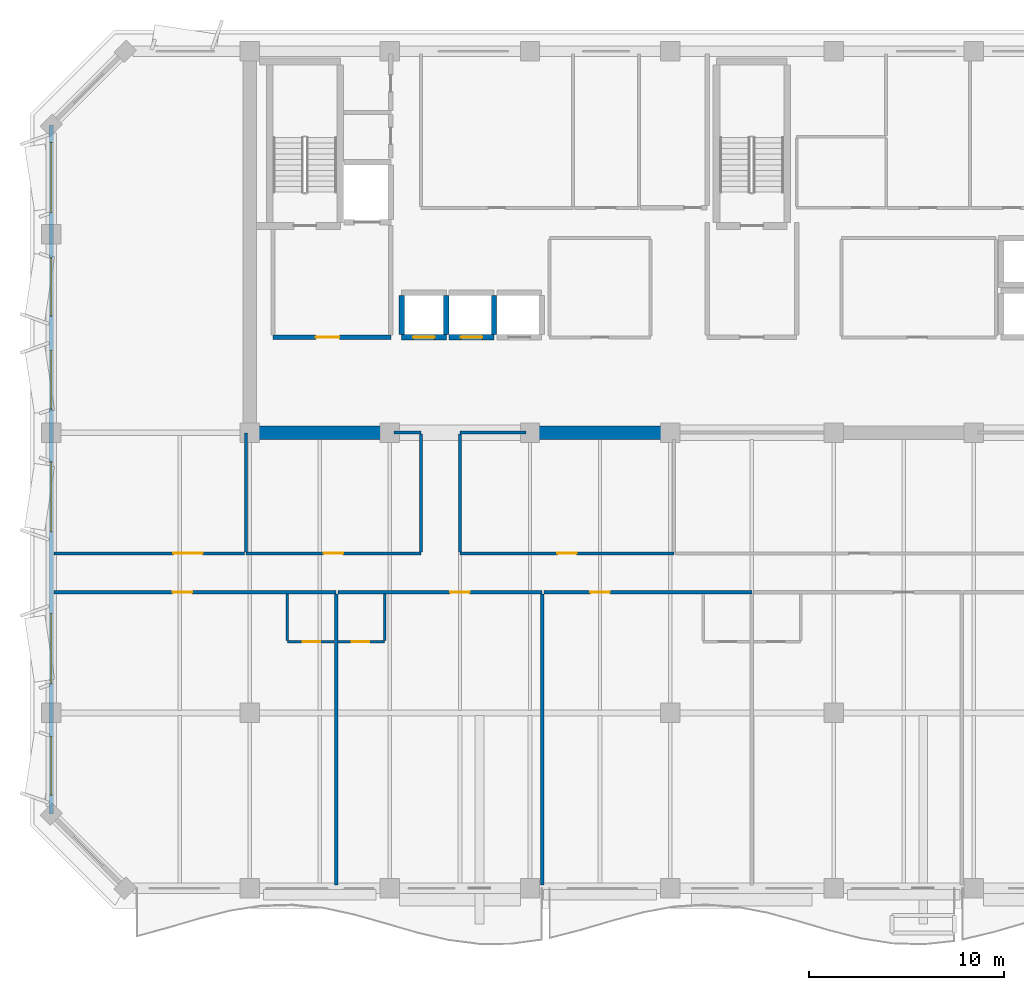
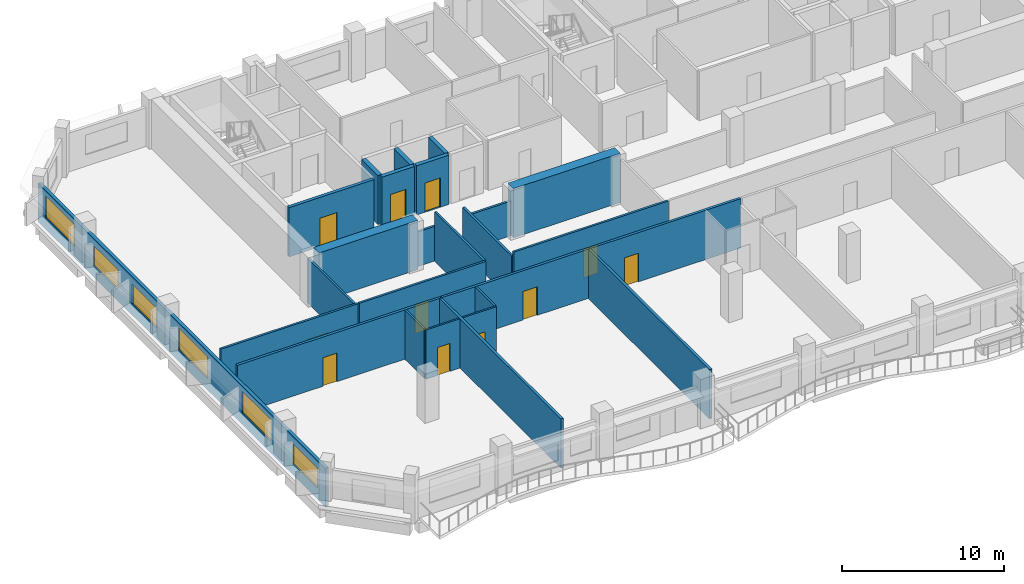
# One storey, part 3 of 10: 26 walls, 11 doors, 6 windows, 17 openings.
"""IFC4 building model written with IfcOpenShell, lengths in metres."""

from ifc_helpers import new_model, si_unit, direction, frame, frame_2d, origin, place, context, subcontext, project, spatial, rectangle, extrude, material, layer, layer_set, type_object, element, fill, save


model = new_model("IFC4")

# Units and contexts
model_context = context("Model", 3, precision=1e-05, world=origin(), true_north=direction((0.0, 1.0)))
body_context = subcontext(model_context, "Body", "Model", "MODEL_VIEW")
ifc_project = project(units=[si_unit("LENGTHUNIT", "METRE"), si_unit("AREAUNIT", "SQUARE_METRE"), si_unit("VOLUMEUNIT", "CUBIC_METRE"), si_unit("PLANEANGLEUNIT", "RADIAN"), si_unit("MASSUNIT", "GRAM", prefix="KILO")], contexts=[model_context])

# Site, building, storey
site_placement = place(None, origin())
site = spatial("IfcSite", under=ifc_project, at=site_placement, CompositionType="ELEMENT")
building_placement = place(site_placement, origin())
building = spatial("IfcBuilding", under=site, at=building_placement, Name="Kaelvorn Grand Hotel", CompositionType="ELEMENT")
storey_placement = place(building_placement, frame((0.0, 0.0, 264.699951171875)))
storey = spatial("IfcBuildingStorey", under=building, at=storey_placement, Name="L65", CompositionType="ELEMENT", Elevation=264.699951171875)

# Walls
ifc_material_1 = material(Name="Concrete C50/60", Category="concrete")
ifc_layer_1 = layer(ifc_material_1, 0.699951171875)
ifc_layer_set_1 = layer_set([ifc_layer_1], Name="Concrete C50/60")
wall_type_1 = type_object("IfcWallType", Name="WL-CORE-700-C50", PredefinedType="SHEAR", material=ifc_layer_set_1)
wall_1_placement = place(storey_placement, frame((16.554931640625, 29.39990234375, 0.0), z_axis=(0.0, 0.0, 1.0), x_axis=(1.0, 0.0, 0.0)))
element("IfcWall", 1, at=wall_1_placement, inside=storey, type_object=wall_type_1, Name="L65 Rear-Core Coupled Shear Pier S1", PredefinedType="SHEAR", context=body_context, shape_type="SweptSolid", body=[
    extrude(rectangle(XDim=7.045166015625, YDim=0.699951171875, at=frame_2d((3.5224609375, 0.0))), origin(), (0.0, 0.0, 1.0), 3.7099609375),
])
wall_2_placement = place(storey_placement, frame((30.39990234375, 29.39990234375, 0.0), z_axis=(0.0, 0.0, 1.0), x_axis=(1.0, 0.0, 0.0)))
element("IfcWall", 2, at=wall_2_placement, inside=storey, type_object=wall_type_1, Name="L65 Rear-Core Coupled Shear Pier S2", PredefinedType="SHEAR", context=body_context, shape_type="SweptSolid", body=[
    extrude(rectangle(XDim=7.60009765625, YDim=0.699951171875, at=frame_2d((3.800048828125, 0.0))), origin(), (0.0, 0.0, 1.0), 3.7099609375),
])

# Wall, openings, windows
ifc_material_2 = material(Name="Concrete C40/50", Category="concrete")
ifc_layer_2 = layer(ifc_material_2, 0.219970703125)
ifc_layer_set_2 = layer_set([ifc_layer_2], Name="Concrete C40/50")
wall_type_2 = type_object("IfcWallType", Name="WL-EXT-220-C40", PredefinedType="SOLIDWALL", material=ifc_layer_set_2)
wall_3_placement = place(storey_placement, frame((6.0, 45.199951171875, 0.0), z_axis=(0.0, 0.0, 1.0), x_axis=(0.0, -1.0, 0.0)))
wall_3 = element("IfcWall", 3, at=wall_3_placement, inside=storey, type_object=wall_type_2, Name="L65 Exterior Architectural Concrete Wall 07", PredefinedType="SOLIDWALL", context=body_context, shape_type="SweptSolid", body=[
    extrude(rectangle(XDim=35.39990234375, YDim=0.219970703125, at=frame_2d((17.699951171875, 0.0))), origin(), (0.0, 0.0, 1.0), 2.91015625),
])
opening_1_placement = place(wall_3_placement, frame((31.4150390625, 0.0, 0.85009765625)))
opening_1 = element("IfcOpeningElement", 4, at=opening_1_placement, cuts=wall_3, Name="Opening W5", PredefinedType="OPENING", context=body_context, shape_type="SweptSolid", body=[
    extrude(rectangle(XDim=3.0, YDim=1.5, at=frame_2d((1.5, 0.75))), frame((0.0, 0.1201171875, 0.0), z_axis=(0.0, -1.0, 0.0), x_axis=(1.0, 0.0, 0.0)), (0.0, 0.0, 1.0), 0.239990234375),
])
opening_2_placement = place(wall_3_placement, frame((25.10009765625, 0.0, 0.85009765625)))
opening_2 = element("IfcOpeningElement", 5, at=opening_2_placement, cuts=wall_3, Name="Opening W3", PredefinedType="OPENING", context=body_context, shape_type="SweptSolid", body=[
    extrude(rectangle(XDim=3.60009765625, YDim=1.64990234375, at=frame_2d((1.800048828125, 0.824951171875))), frame((0.0, 0.1201171875, 0.0), z_axis=(0.0, -1.0, 0.0), x_axis=(1.0, 0.0, 0.0)), (0.0, 0.0, 1.0), 0.239990234375),
])
opening_3_placement = place(wall_3_placement, frame((17.300048828125, 0.0, 0.85009765625)))
opening_3 = element("IfcOpeningElement", 6, at=opening_3_placement, cuts=wall_3, Name="Opening W3", PredefinedType="OPENING", context=body_context, shape_type="SweptSolid", body=[
    extrude(rectangle(XDim=3.60009765625, YDim=1.64990234375, at=frame_2d((1.800048828125, 0.824951171875))), frame((0.0, 0.1201171875, 0.0), z_axis=(0.0, -1.0, 0.0), x_axis=(1.0, 0.0, 0.0)), (0.0, 0.0, 1.0), 0.239990234375),
])
opening_4_placement = place(wall_3_placement, frame((11.5849609375, 0.0, 0.85009765625)))
opening_4 = element("IfcOpeningElement", 7, at=opening_4_placement, cuts=wall_3, Name="Opening W5", PredefinedType="OPENING", context=body_context, shape_type="SweptSolid", body=[
    extrude(rectangle(XDim=3.0, YDim=1.5, at=frame_2d((1.5, 0.75))), frame((0.0, 0.1201171875, 0.0), z_axis=(0.0, -1.0, 0.0), x_axis=(1.0, 0.0, 0.0)), (0.0, 0.0, 1.0), 0.239990234375),
])
opening_5_placement = place(wall_3_placement, frame((6.81494140625, 0.0, 0.85009765625)))
opening_5 = element("IfcOpeningElement", 8, at=opening_5_placement, cuts=wall_3, Name="Opening W5", PredefinedType="OPENING", context=body_context, shape_type="SweptSolid", body=[
    extrude(rectangle(XDim=3.0, YDim=1.5, at=frame_2d((1.5, 0.75))), frame((0.0, 0.1201171875, 0.0), z_axis=(0.0, -1.0, 0.0), x_axis=(1.0, 0.0, 0.0)), (0.0, 0.0, 1.0), 0.239990234375),
])
opening_6_placement = place(wall_3_placement, frame((0.885009765625, 0.0, 0.85009765625)))
opening_6 = element("IfcOpeningElement", 9, at=opening_6_placement, cuts=wall_3, Name="Opening W3", PredefinedType="OPENING", context=body_context, shape_type="SweptSolid", body=[
    extrude(rectangle(XDim=3.60009765625, YDim=1.64990234375, at=frame_2d((1.800048828125, 0.824951171875))), frame((0.0, 0.1201171875, 0.0), z_axis=(0.0, -1.0, 0.0), x_axis=(1.0, 0.0, 0.0)), (0.0, 0.0, 1.0), 0.239990234375),
])
ifc_material_3 = material(Name="Laminated Low-E Glass", Category="glass")
window_type_1 = type_object("IfcWindowType", Name="WIN-NTH-3000x1500", PartitioningType="SINGLE_PANEL", PredefinedType="WINDOW", material=ifc_material_3)
window_1_placement = place(opening_1_placement, origin())
window_1 = element("IfcWindow", 10, at=window_1_placement, inside=storey, type_object=window_type_1, Name="L65 W Wing Tilted-Frame Ribbon Window W01", OverallHeight=1.5, OverallWidth=3.0, PartitioningType="SINGLE_PANEL", PredefinedType="WINDOW", context=body_context, shape_type="SweptSolid", body=[
    extrude(rectangle(XDim=3.0, YDim=1.5, at=frame_2d((1.5, 0.75))), frame((0.0, 0.030029296875, 0.0), z_axis=(0.0, -1.0, 0.0), x_axis=(1.0, 0.0, 0.0)), (0.0, 0.0, 1.0), 0.06005859375),
])
fill(opening_1, window_1)
window_2_placement = place(opening_4_placement, origin())
window_2 = element("IfcWindow", 11, at=window_2_placement, inside=storey, type_object=window_type_1, Name="L65 W Wing Tilted-Frame Ribbon Window W04", OverallHeight=1.5, OverallWidth=3.0, PartitioningType="SINGLE_PANEL", PredefinedType="WINDOW", context=body_context, shape_type="SweptSolid", body=[
    extrude(rectangle(XDim=3.0, YDim=1.5, at=frame_2d((1.5, 0.75))), frame((0.0, 0.030029296875, 0.0), z_axis=(0.0, -1.0, 0.0), x_axis=(1.0, 0.0, 0.0)), (0.0, 0.0, 1.0), 0.06005859375),
])
fill(opening_4, window_2)
window_3_placement = place(opening_5_placement, origin())
window_3 = element("IfcWindow", 12, at=window_3_placement, inside=storey, type_object=window_type_1, Name="L65 W Wing Tilted-Frame Ribbon Window W05", OverallHeight=1.5, OverallWidth=3.0, PartitioningType="SINGLE_PANEL", PredefinedType="WINDOW", context=body_context, shape_type="SweptSolid", body=[
    extrude(rectangle(XDim=3.0, YDim=1.5, at=frame_2d((1.5, 0.75))), frame((0.0, 0.030029296875, 0.0), z_axis=(0.0, -1.0, 0.0), x_axis=(1.0, 0.0, 0.0)), (0.0, 0.0, 1.0), 0.06005859375),
])
fill(opening_5, window_3)
window_type_2 = type_object("IfcWindowType", Name="WIN-RIB-3600x1750", PartitioningType="SINGLE_PANEL", PredefinedType="WINDOW", material=ifc_material_3)
window_4_placement = place(opening_2_placement, origin())
window_4 = element("IfcWindow", 13, at=window_4_placement, inside=storey, type_object=window_type_2, Name="L65 W Wing Tilted-Frame Ribbon Window W02", OverallHeight=1.64990234375, OverallWidth=3.60009765625, PartitioningType="SINGLE_PANEL", PredefinedType="WINDOW", context=body_context, shape_type="SweptSolid", body=[
    extrude(rectangle(XDim=3.60009765625, YDim=1.64990234375, at=frame_2d((1.800048828125, 0.824951171875))), frame((0.0, 0.030029296875, 0.0), z_axis=(0.0, -1.0, 0.0), x_axis=(1.0, 0.0, 0.0)), (0.0, 0.0, 1.0), 0.06005859375),
])
fill(opening_2, window_4)
window_5_placement = place(opening_3_placement, origin())
window_5 = element("IfcWindow", 14, at=window_5_placement, inside=storey, type_object=window_type_2, Name="L65 W Wing Tilted-Frame Ribbon Window W03", OverallHeight=1.64990234375, OverallWidth=3.60009765625, PartitioningType="SINGLE_PANEL", PredefinedType="WINDOW", context=body_context, shape_type="SweptSolid", body=[
    extrude(rectangle(XDim=3.60009765625, YDim=1.64990234375, at=frame_2d((1.800048828125, 0.824951171875))), frame((0.0, 0.030029296875, 0.0), z_axis=(0.0, -1.0, 0.0), x_axis=(1.0, 0.0, 0.0)), (0.0, 0.0, 1.0), 0.06005859375),
])
fill(opening_3, window_5)
window_6_placement = place(opening_6_placement, origin())
window_6 = element("IfcWindow", 15, at=window_6_placement, inside=storey, type_object=window_type_2, Name="L65 W Wing Tilted-Frame Ribbon Window W06", OverallHeight=1.64990234375, OverallWidth=3.60009765625, PartitioningType="SINGLE_PANEL", PredefinedType="WINDOW", context=body_context, shape_type="SweptSolid", body=[
    extrude(rectangle(XDim=3.60009765625, YDim=1.64990234375, at=frame_2d((1.800048828125, 0.824951171875))), frame((0.0, 0.030029296875, 0.0), z_axis=(0.0, -1.0, 0.0), x_axis=(1.0, 0.0, 0.0)), (0.0, 0.0, 1.0), 0.06005859375),
])
fill(opening_6, window_6)

# Wall, opening, door
ifc_material_4 = material(Name="Moisture-Resistant Tile & Stud Board")
ifc_layer_3 = layer(ifc_material_4, 0.125)
ifc_layer_set_3 = layer_set([ifc_layer_3], Name="Moisture-Resistant Tile & Stud Board")
wall_type_3 = type_object("IfcWallType", Name="WL-PART-125-WET", PredefinedType="PARTITIONING", material=ifc_layer_set_3)
wall_4_placement = place(storey_placement, frame((18.13330078125, 18.64990234375, 0.0), z_axis=(0.0, 0.0, 1.0), x_axis=(1.0, 0.0, 0.0)))
wall_4 = element("IfcWall", 16, at=wall_4_placement, inside=storey, type_object=wall_type_3, Name="L65 En-suite Bathroom L65-01 S Partition", PredefinedType="PARTITIONING", context=body_context, shape_type="SweptSolid", body=[
    extrude(rectangle(XDim=2.405029296875, YDim=0.125, at=frame_2d((1.20263671875, 0.0))), origin(), (0.0, 0.0, 1.0), 3.7099609375),
])
opening_7_placement = place(wall_4_placement, frame((0.800048828125, 0.0, 0.0)))
opening_7 = element("IfcOpeningElement", 17, at=opening_7_placement, cuts=wall_4, Name="Opening DI4", PredefinedType="OPENING", context=body_context, shape_type="SweptSolid", body=[
    extrude(rectangle(XDim=0.89990234375, YDim=2.10009765625, at=frame_2d((0.449951171875, 1.050048828125))), frame((0.0, 0.072509765625, 0.0), z_axis=(0.0, -1.0, 0.0), x_axis=(1.0, 0.0, 0.0)), (0.0, 0.0, 1.0), 0.14501953125),
])
ifc_material_5 = material(Name="Timber Veneer Leaf", Category="wood")
door_type_1 = type_object("IfcDoorType", Name="DR-INT-BATH-900x2100", OperationType="NOTDEFINED", PredefinedType="DOOR", material=ifc_material_5)
door_1_placement = place(opening_7_placement, origin())
door_1 = element("IfcDoor", 18, at=door_1_placement, inside=storey, type_object=door_type_1, Name="L65 En-suite Bathroom L65-01 Door", OperationType="SINGLE_SWING_LEFT", OverallHeight=2.10009765625, OverallWidth=0.89990234375, PredefinedType="DOOR", context=body_context, shape_type="SweptSolid", body=[
    extrude(rectangle(XDim=0.89990234375, YDim=2.10009765625, at=frame_2d((0.449951171875, 1.050048828125))), frame((0.0, 0.02490234375, 0.0), z_axis=(0.0, -1.0, 0.0), x_axis=(1.0, 0.0, 0.0)), (0.0, 0.0, 1.0), 0.050048828125),
])
fill(opening_7, door_1)

# Wall
wall_5_placement = place(storey_placement, frame((18.13330078125, 18.717529296875, 0.0), z_axis=(0.0, 0.0, 1.0), x_axis=(0.0, 1.0, 0.0)))
element("IfcWall", 19, at=wall_5_placement, inside=storey, type_object=wall_type_3, Name="L65 En-suite Bathroom L65-01 W Partition", PredefinedType="PARTITIONING", context=body_context, shape_type="SweptSolid", body=[
    extrude(rectangle(XDim=2.387451171875, YDim=0.125, at=frame_2d((1.19384765625, 0.0))), origin(), (0.0, 0.0, 1.0), 3.7099609375),
])

# Wall, opening, door
wall_6_placement = place(storey_placement, frame((20.728515625, 18.64990234375, 0.0), z_axis=(0.0, 0.0, 1.0), x_axis=(1.0, 0.0, 0.0)))
wall_6 = element("IfcWall", 20, at=wall_6_placement, inside=storey, type_object=wall_type_3, Name="L65 En-suite Bathroom L65-02 S Partition", PredefinedType="PARTITIONING", context=body_context, shape_type="SweptSolid", body=[
    extrude(rectangle(XDim=2.40478515625, YDim=0.125, at=frame_2d((1.202392578125, 0.0))), origin(), (0.0, 0.0, 1.0), 3.7099609375),
])
opening_8_placement = place(wall_6_placement, frame((0.705078125, 0.0, 0.0)))
opening_8 = element("IfcOpeningElement", 21, at=opening_8_placement, cuts=wall_6, Name="Opening DI4", PredefinedType="OPENING", context=body_context, shape_type="SweptSolid", body=[
    extrude(rectangle(XDim=0.89990234375, YDim=2.10009765625, at=frame_2d((0.449951171875, 1.050048828125))), frame((0.0, 0.072509765625, 0.0), z_axis=(0.0, -1.0, 0.0), x_axis=(1.0, 0.0, 0.0)), (0.0, 0.0, 1.0), 0.14501953125),
])
door_2_placement = place(opening_8_placement, origin())
door_2 = element("IfcDoor", 22, at=door_2_placement, inside=storey, type_object=door_type_1, Name="L65 En-suite Bathroom L65-02 Door", OperationType="SINGLE_SWING_LEFT", OverallHeight=2.10009765625, OverallWidth=0.89990234375, PredefinedType="DOOR", context=body_context, shape_type="SweptSolid", body=[
    extrude(rectangle(XDim=0.89990234375, YDim=2.10009765625, at=frame_2d((0.449951171875, 1.050048828125))), frame((0.0, 0.02490234375, 0.0), z_axis=(0.0, -1.0, 0.0), x_axis=(1.0, 0.0, 0.0)), (0.0, 0.0, 1.0), 0.050048828125),
])
fill(opening_8, door_2)

# Wall
wall_7_placement = place(storey_placement, frame((23.13330078125, 18.717529296875, 0.0), z_axis=(0.0, 0.0, 1.0), x_axis=(0.0, 1.0, 0.0)))
element("IfcWall", 23, at=wall_7_placement, inside=storey, type_object=wall_type_3, Name="L65 En-suite Bathroom L65-02 E Partition", PredefinedType="PARTITIONING", context=body_context, shape_type="SweptSolid", body=[
    extrude(rectangle(XDim=2.387451171875, YDim=0.125, at=frame_2d((1.19384765625, 0.0))), origin(), (0.0, 0.0, 1.0), 3.7099609375),
])

# Wall, opening, door
ifc_material_6 = material(Name="Acoustic Gypsum & Stud Partition")
ifc_layer_4 = layer(ifc_material_6, 0.14990234375)
ifc_layer_set_4 = layer_set([ifc_layer_4], Name="Acoustic Gypsum & Stud Partition")
wall_type_4 = type_object("IfcWallType", Name="WL-PART-150-EI60", PredefinedType="PARTITIONING", material=ifc_layer_set_4)
wall_8_placement = place(storey_placement, frame((16.0, 23.199951171875, 0.0), z_axis=(0.0, 0.0, 1.0), x_axis=(1.0, 0.0, 0.0)))
wall_8 = element("IfcWall", 24, at=wall_8_placement, inside=storey, type_object=wall_type_4, Name="L65 Reading Library Lounge S Partition", PredefinedType="PARTITIONING", context=body_context, shape_type="SweptSolid", body=[
    extrude(rectangle(XDim=9.0, YDim=0.14990234375, at=frame_2d((4.5, 0.0))), origin(), (0.0, 0.0, 1.0), 3.7099609375),
])
opening_9_placement = place(wall_8_placement, frame((4.0, 0.0, 0.0)))
opening_9 = element("IfcOpeningElement", 25, at=opening_9_placement, cuts=wall_8, Name="Opening DI3", PredefinedType="OPENING", context=body_context, shape_type="SweptSolid", body=[
    extrude(rectangle(XDim=1.0, YDim=2.14990234375, at=frame_2d((0.5, 1.074951171875))), frame((0.0, 0.0849609375, 0.0), z_axis=(0.0, -1.0, 0.0), x_axis=(1.0, 0.0, 0.0)), (0.0, 0.0, 1.0), 0.169921875),
])
ifc_material_7 = material(Name="Timber Veneer Fire Leaf", Category="wood")
door_type_2 = type_object("IfcDoorType", Name="DR-INT-GUEST-1000x2150", OperationType="NOTDEFINED", PredefinedType="DOOR", material=ifc_material_7)
door_3_placement = place(opening_9_placement, origin())
door_3 = element("IfcDoor", 26, at=door_3_placement, inside=storey, type_object=door_type_2, Name="L65 Reading Library Lounge Door", OperationType="SINGLE_SWING_RIGHT", OverallHeight=2.14990234375, OverallWidth=1.0, PredefinedType="DOOR", context=body_context, shape_type="SweptSolid", body=[
    extrude(rectangle(XDim=1.0, YDim=2.14990234375, at=frame_2d((0.5, 1.074951171875))), frame((0.0, 0.02490234375, 0.0), z_axis=(0.0, -1.0, 0.0), x_axis=(1.0, 0.0, 0.0)), (0.0, 0.0, 1.0), 0.050048828125),
])
fill(opening_9, door_3)

# Walls
wall_9_placement = place(storey_placement, frame((23.610107421875, 29.39990234375, 0.0), z_axis=(0.0, 0.0, 1.0), x_axis=(1.0, 0.0, 0.0)))
element("IfcWall", 27, at=wall_9_placement, inside=storey, type_object=wall_type_4, Name="L65 Reading Library Lounge N Partition", PredefinedType="PARTITIONING", context=body_context, shape_type="SweptSolid", body=[
    extrude(rectangle(XDim=1.389892578125, YDim=0.14990234375, at=frame_2d((0.69482421875, 0.0))), origin(), (0.0, 0.0, 1.0), 2.610107421875),
])
wall_10_placement = place(storey_placement, frame((16.0, 23.280029296875, 0.0), z_axis=(0.0, 0.0, 1.0), x_axis=(0.0, 1.0, 0.0)))
element("IfcWall", 28, at=wall_10_placement, inside=storey, type_object=wall_type_4, Name="L65 Reading Library Lounge W Partition", PredefinedType="PARTITIONING", context=body_context, shape_type="SweptSolid", body=[
    extrude(rectangle(XDim=6.10986328125, YDim=0.14990234375, at=frame_2d((3.054931640625, 0.0))), origin(), (0.0, 0.0, 1.0), 3.35009765625),
])
wall_11_placement = place(storey_placement, frame((25.0, 23.280029296875, 0.0), z_axis=(0.0, 0.0, 1.0), x_axis=(0.0, 1.0, 0.0)))
element("IfcWall", 29, at=wall_11_placement, inside=storey, type_object=wall_type_4, Name="L65 Reading Library Lounge E Partition", PredefinedType="PARTITIONING", context=body_context, shape_type="SweptSolid", body=[
    extrude(rectangle(XDim=6.0400390625, YDim=0.14990234375, at=frame_2d((3.02001953125, 0.0))), origin(), (0.0, 0.0, 1.0), 3.7099609375),
])

# Wall, opening, door
wall_12_placement = place(storey_placement, frame((27.0, 23.199951171875, 0.0), z_axis=(0.0, 0.0, 1.0), x_axis=(1.0, 0.0, 0.0)))
wall_12 = element("IfcWall", 30, at=wall_12_placement, inside=storey, type_object=wall_type_4, Name="L65 Chef Finishing Kitchen S Partition", PredefinedType="PARTITIONING", context=body_context, shape_type="SweptSolid", body=[
    extrude(rectangle(XDim=11.0, YDim=0.14990234375, at=frame_2d((5.5, 0.0))), origin(), (0.0, 0.0, 1.0), 3.7099609375),
])
opening_10_placement = place(wall_12_placement, frame((5.0, 0.0, 0.0)))
opening_10 = element("IfcOpeningElement", 31, at=opening_10_placement, cuts=wall_12, Name="Opening DI3", PredefinedType="OPENING", context=body_context, shape_type="SweptSolid", body=[
    extrude(rectangle(XDim=1.0, YDim=2.14990234375, at=frame_2d((0.5, 1.074951171875))), frame((0.0, 0.0849609375, 0.0), z_axis=(0.0, -1.0, 0.0), x_axis=(1.0, 0.0, 0.0)), (0.0, 0.0, 1.0), 0.169921875),
])
door_4_placement = place(opening_10_placement, origin())
door_4 = element("IfcDoor", 32, at=door_4_placement, inside=storey, type_object=door_type_2, Name="L65 Chef Finishing Kitchen Door", OperationType="SINGLE_SWING_LEFT", OverallHeight=2.14990234375, OverallWidth=1.0, PredefinedType="DOOR", context=body_context, shape_type="SweptSolid", body=[
    extrude(rectangle(XDim=1.0, YDim=2.14990234375, at=frame_2d((0.5, 1.074951171875))), frame((0.0, 0.02490234375, 0.0), z_axis=(0.0, -1.0, 0.0), x_axis=(1.0, 0.0, 0.0)), (0.0, 0.0, 1.0), 0.050048828125),
])
fill(opening_10, door_4)

# Walls
wall_13_placement = place(storey_placement, frame((27.0, 29.39990234375, 0.0), z_axis=(0.0, 0.0, 1.0), x_axis=(1.0, 0.0, 0.0)))
element("IfcWall", 33, at=wall_13_placement, inside=storey, type_object=wall_type_4, Name="L65 Chef Finishing Kitchen N Partition", PredefinedType="PARTITIONING", context=body_context, shape_type="SweptSolid", body=[
    extrude(rectangle(XDim=3.389892578125, YDim=0.14990234375, at=frame_2d((1.69482421875, 0.0))), origin(), (0.0, 0.0, 1.0), 2.610107421875),
])
wall_14_placement = place(storey_placement, frame((27.0, 23.280029296875, 0.0), z_axis=(0.0, 0.0, 1.0), x_axis=(0.0, 1.0, 0.0)))
element("IfcWall", 34, at=wall_14_placement, inside=storey, type_object=wall_type_4, Name="L65 Chef Finishing Kitchen W Partition", PredefinedType="PARTITIONING", context=body_context, shape_type="SweptSolid", body=[
    extrude(rectangle(XDim=6.0400390625, YDim=0.14990234375, at=frame_2d((3.02001953125, 0.0))), origin(), (0.0, 0.0, 1.0), 3.35009765625),
])

# Wall, opening, door
wall_15_placement = place(storey_placement, frame((6.14990234375, 23.199951171875, 0.0), z_axis=(0.0, 0.0, 1.0), x_axis=(1.0, 0.0, 0.0)))
wall_15 = element("IfcWall", 35, at=wall_15_placement, inside=storey, type_object=wall_type_4, Name="L65 West Sky Concierge Admin Office S Partition", PredefinedType="PARTITIONING", context=body_context, shape_type="SweptSolid", body=[
    extrude(rectangle(XDim=9.77001953125, YDim=0.14990234375, at=frame_2d((4.885009765625, 0.0))), origin(), (0.0, 0.0, 1.0), 3.7099609375),
])
opening_11_placement = place(wall_15_placement, frame((6.1298828125, 0.0, 0.0)))
opening_11 = element("IfcOpeningElement", 36, at=opening_11_placement, cuts=wall_15, Name="Opening DI5", PredefinedType="OPENING", context=body_context, shape_type="SweptSolid", body=[
    extrude(rectangle(XDim=1.5, YDim=2.25, at=frame_2d((0.75, 1.125))), frame((0.0, 0.0849609375, 0.0), z_axis=(0.0, -1.0, 0.0), x_axis=(1.0, 0.0, 0.0)), (0.0, 0.0, 1.0), 0.169921875),
])
door_type_3 = type_object("IfcDoorType", Name="DR-INT-SALON-1500x2250", OperationType="DOUBLE_DOOR_SINGLE_SWING", PredefinedType="DOOR", material=ifc_material_7)
door_5_placement = place(opening_11_placement, origin())
door_5 = element("IfcDoor", 37, at=door_5_placement, inside=storey, type_object=door_type_3, Name="L65 West Sky Concierge Admin Office Door", OperationType="DOUBLE_DOOR_SINGLE_SWING", OverallHeight=2.25, OverallWidth=1.5, PredefinedType="DOOR", context=body_context, shape_type="SweptSolid", body=[
    extrude(rectangle(XDim=1.5, YDim=2.25, at=frame_2d((0.75, 1.125))), frame((0.0, 0.02490234375, 0.0), z_axis=(0.0, -1.0, 0.0), x_axis=(1.0, 0.0, 0.0)), (0.0, 0.0, 1.0), 0.050048828125),
])
fill(opening_11, door_5)

ifc_layer_5 = layer(ifc_material_6, 0.179931640625)
ifc_layer_set_5 = layer_set([ifc_layer_5], Name="Acoustic Gypsum & Stud Partition")
wall_type_5 = type_object("IfcWallType", Name="WL-PART-180-EI60", PredefinedType="PARTITIONING", material=ifc_layer_set_5)
wall_16_placement = place(storey_placement, frame((6.14990234375, 21.199951171875, 0.0), z_axis=(0.0, 0.0, 1.0), x_axis=(1.0, 0.0, 0.0)))
wall_16 = element("IfcWall", 38, at=wall_16_placement, inside=storey, type_object=wall_type_5, Name="L65 Ambassador Junior Suite L65-01 N Partition", PredefinedType="PARTITIONING", context=body_context, shape_type="SweptSolid", body=[
    extrude(rectangle(XDim=14.4833984375, YDim=0.179931640625, at=frame_2d((7.24169921875, 0.0))), origin(), (0.0, 0.0, 1.0), 3.7099609375),
])
opening_12_placement = place(wall_16_placement, frame((6.0849609375, 0.0, 0.0)))
opening_12 = element("IfcOpeningElement", 39, at=opening_12_placement, cuts=wall_16, Name="Opening DI3", PredefinedType="OPENING", context=body_context, shape_type="SweptSolid", body=[
    extrude(rectangle(XDim=1.0, YDim=2.14990234375, at=frame_2d((0.5, 1.074951171875))), frame((0.0, 0.10009765625, 0.0), z_axis=(0.0, -1.0, 0.0), x_axis=(1.0, 0.0, 0.0)), (0.0, 0.0, 1.0), 0.199951171875),
])
door_6_placement = place(opening_12_placement, origin())
door_6 = element("IfcDoor", 40, at=door_6_placement, inside=storey, type_object=door_type_2, Name="L65 Ambassador Junior Suite L65-01 Door", OperationType="SINGLE_SWING_RIGHT", OverallHeight=2.14990234375, OverallWidth=1.0, PredefinedType="DOOR", context=body_context, shape_type="SweptSolid", body=[
    extrude(rectangle(XDim=1.0, YDim=2.14990234375, at=frame_2d((0.5, 1.074951171875))), frame((0.0, 0.02490234375, 0.0), z_axis=(0.0, -1.0, 0.0), x_axis=(1.0, 0.0, 0.0)), (0.0, 0.0, 1.0), 0.050048828125),
])
fill(opening_12, door_6)

# Wall
wall_17_placement = place(storey_placement, frame((20.63330078125, 6.14990234375, 0.0), z_axis=(0.0, 0.0, 1.0), x_axis=(0.0, 1.0, 0.0)))
element("IfcWall", 41, at=wall_17_placement, inside=storey, type_object=wall_type_5, Name="L65 Ambassador Junior Suite L65-01 E Partition", PredefinedType="PARTITIONING", context=body_context, shape_type="SweptSolid", body=[
    extrude(rectangle(XDim=14.955078125, YDim=0.179931640625, at=frame_2d((7.4775390625, 0.0))), origin(), (0.0, 0.0, 1.0), 3.7099609375),
])

# Wall, opening, door
wall_18_placement = place(storey_placement, frame((20.728515625, 21.199951171875, 0.0), z_axis=(0.0, 0.0, 1.0), x_axis=(1.0, 0.0, 0.0)))
wall_18 = element("IfcWall", 42, at=wall_18_placement, inside=storey, type_object=wall_type_5, Name="L65 Ambassador Junior Suite L65-02 N Partition", PredefinedType="PARTITIONING", context=body_context, shape_type="SweptSolid", body=[
    extrude(rectangle(XDim=10.48828125, YDim=0.179931640625, at=frame_2d((5.244140625, 0.0))), origin(), (0.0, 0.0, 1.0), 3.7099609375),
])
opening_13_placement = place(wall_18_placement, frame((5.771484375, 0.0, 0.0)))
opening_13 = element("IfcOpeningElement", 43, at=opening_13_placement, cuts=wall_18, Name="Opening DI3", PredefinedType="OPENING", context=body_context, shape_type="SweptSolid", body=[
    extrude(rectangle(XDim=1.0, YDim=2.14990234375, at=frame_2d((0.5, 1.074951171875))), frame((0.0, 0.10009765625, 0.0), z_axis=(0.0, -1.0, 0.0), x_axis=(1.0, 0.0, 0.0)), (0.0, 0.0, 1.0), 0.199951171875),
])
door_7_placement = place(opening_13_placement, origin())
door_7 = element("IfcDoor", 44, at=door_7_placement, inside=storey, type_object=door_type_2, Name="L65 Ambassador Junior Suite L65-02 Door", OperationType="SINGLE_SWING_RIGHT", OverallHeight=2.14990234375, OverallWidth=1.0, PredefinedType="DOOR", context=body_context, shape_type="SweptSolid", body=[
    extrude(rectangle(XDim=1.0, YDim=2.14990234375, at=frame_2d((0.5, 1.074951171875))), frame((0.0, 0.02490234375, 0.0), z_axis=(0.0, -1.0, 0.0), x_axis=(1.0, 0.0, 0.0)), (0.0, 0.0, 1.0), 0.050048828125),
])
fill(opening_13, door_7)

# Wall
wall_19_placement = place(storey_placement, frame((31.216796875, 6.14990234375, 0.0), z_axis=(0.0, 0.0, 1.0), x_axis=(0.0, 1.0, 0.0)))
element("IfcWall", 45, at=wall_19_placement, inside=storey, type_object=wall_type_5, Name="L65 Ambassador Junior Suite L65-02 E Partition", PredefinedType="PARTITIONING", context=body_context, shape_type="SweptSolid", body=[
    extrude(rectangle(XDim=14.955078125, YDim=0.179931640625, at=frame_2d((7.4775390625, 0.0))), origin(), (0.0, 0.0, 1.0), 3.7099609375),
])

# Wall, opening, door
wall_20_placement = place(storey_placement, frame((31.31201171875, 21.199951171875, 0.0), z_axis=(0.0, 0.0, 1.0), x_axis=(1.0, 0.0, 0.0)))
wall_20 = element("IfcWall", 46, at=wall_20_placement, inside=storey, type_object=wall_type_5, Name="L65 Ambassador Junior Suite L65-03 N Partition", PredefinedType="PARTITIONING", context=body_context, shape_type="SweptSolid", body=[
    extrude(rectangle(XDim=10.68798828125, YDim=0.179931640625, at=frame_2d((5.343994140625, 0.0))), origin(), (0.0, 0.0, 1.0), 3.7099609375),
])
opening_14_placement = place(wall_20_placement, frame((2.38818359375, 0.0, 0.0)))
opening_14 = element("IfcOpeningElement", 47, at=opening_14_placement, cuts=wall_20, Name="Opening DI3", PredefinedType="OPENING", context=body_context, shape_type="SweptSolid", body=[
    extrude(rectangle(XDim=1.0, YDim=2.14990234375, at=frame_2d((0.5, 1.074951171875))), frame((0.0, 0.10009765625, 0.0), z_axis=(0.0, -1.0, 0.0), x_axis=(1.0, 0.0, 0.0)), (0.0, 0.0, 1.0), 0.199951171875),
])
door_8_placement = place(opening_14_placement, origin())
door_8 = element("IfcDoor", 48, at=door_8_placement, inside=storey, type_object=door_type_2, Name="L65 Ambassador Junior Suite L65-03 Door", OperationType="SINGLE_SWING_RIGHT", OverallHeight=2.14990234375, OverallWidth=1.0, PredefinedType="DOOR", context=body_context, shape_type="SweptSolid", body=[
    extrude(rectangle(XDim=1.0, YDim=2.14990234375, at=frame_2d((0.5, 1.074951171875))), frame((0.0, 0.02490234375, 0.0), z_axis=(0.0, -1.0, 0.0), x_axis=(1.0, 0.0, 0.0)), (0.0, 0.0, 1.0), 0.050048828125),
])
fill(opening_14, door_8)

ifc_layer_6 = layer(ifc_material_2, 0.219970703125)
ifc_layer_set_6 = layer_set([ifc_layer_6], Name="Concrete C40/50")
wall_type_6 = type_object("IfcWallType", Name="WL-PART-220-EI120", PredefinedType="PARTITIONING", material=ifc_layer_set_6)
wall_21_placement = place(storey_placement, frame((17.39990234375, 34.300048828125, 0.0), z_axis=(0.0, 0.0, 1.0), x_axis=(1.0, 0.0, 0.0)))
wall_21 = element("IfcWall", 49, at=wall_21_placement, inside=storey, type_object=wall_type_6, Name="L65 Firefighting Lift Lobby 1 S Partition", PredefinedType="PARTITIONING", context=body_context, shape_type="SweptSolid", body=[
    extrude(rectangle(XDim=6.050048828125, YDim=0.219970703125, at=frame_2d((3.02490234375, 0.0))), origin(), (0.0, 0.0, 1.0), 3.7099609375),
])
opening_15_placement = place(wall_21_placement, frame((2.199951171875, 0.0, 0.0)))
opening_15 = element("IfcOpeningElement", 50, at=opening_15_placement, cuts=wall_21, Name="Opening DI2", PredefinedType="OPENING", context=body_context, shape_type="SweptSolid", body=[
    extrude(rectangle(XDim=1.199951171875, YDim=2.14990234375, at=frame_2d((0.60009765625, 1.074951171875))), frame((0.0, 0.1201171875, 0.0), z_axis=(0.0, -1.0, 0.0), x_axis=(1.0, 0.0, 0.0)), (0.0, 0.0, 1.0), 0.239990234375),
])
door_type_4 = type_object("IfcDoorType", Name="DR-INT-FFLOB-1200x2150", OperationType="NOTDEFINED", PredefinedType="DOOR", material=ifc_material_7)
door_9_placement = place(opening_15_placement, origin())
door_9 = element("IfcDoor", 51, at=door_9_placement, inside=storey, type_object=door_type_4, Name="L65 Firefighting Lift Lobby 1 Door", OperationType="SINGLE_SWING_RIGHT", OverallHeight=2.14990234375, OverallWidth=1.199951171875, PredefinedType="DOOR", context=body_context, shape_type="SweptSolid", body=[
    extrude(rectangle(XDim=1.199951171875, YDim=2.14990234375, at=frame_2d((0.60009765625, 1.074951171875))), frame((0.0, 0.02490234375, 0.0), z_axis=(0.0, -1.0, 0.0), x_axis=(1.0, 0.0, 0.0)), (0.0, 0.0, 1.0), 0.050048828125),
])
fill(opening_15, door_9)

ifc_layer_7 = layer(ifc_material_1, 0.280029296875)
ifc_layer_set_7 = layer_set([ifc_layer_7], Name="Concrete C50/60")
wall_type_7 = type_object("IfcWallType", Name="WL-SHAFT-280-C50", PredefinedType="SHEAR", material=ifc_layer_set_7)
wall_22_placement = place(storey_placement, frame((24.0, 34.300048828125, 0.0), z_axis=(0.0, 0.0, 1.0), x_axis=(1.0, 0.0, 0.0)))
wall_22 = element("IfcWall", 52, at=wall_22_placement, inside=storey, type_object=wall_type_7, Name="L65 Lift PL-H1 Shaft South Wall", PredefinedType="SHEAR", context=body_context, shape_type="SweptSolid", body=[
    extrude(rectangle(XDim=2.300048828125, YDim=0.280029296875, at=frame_2d((1.14990234375, 0.0))), origin(), (0.0, 0.0, 1.0), 3.7099609375),
])
opening_16_placement = place(wall_22_placement, frame((0.60009765625, 0.0, 0.0)))
opening_16 = element("IfcOpeningElement", 53, at=opening_16_placement, cuts=wall_22, Name="Opening LD-PL-H1", PredefinedType="OPENING", context=body_context, shape_type="SweptSolid", body=[
    extrude(rectangle(XDim=1.10009765625, YDim=2.199951171875, at=frame_2d((0.550048828125, 1.10009765625))), frame((0.0, 0.14990234375, 0.0), z_axis=(0.0, -1.0, 0.0), x_axis=(1.0, 0.0, 0.0)), (0.0, 0.0, 1.0), 0.300048828125),
])
ifc_material_8 = material(Name="Stainless Steel", Category="steel")
door_type_5 = type_object("IfcDoorType", Name="DR-LIFT-PASS-1100x2200", OperationType="DOUBLE_DOOR_SLIDING", PredefinedType="DOOR", material=ifc_material_8)
door_10_placement = place(opening_16_placement, origin())
door_10 = element("IfcDoor", 54, at=door_10_placement, inside=storey, type_object=door_type_5, Name="L65 Lift PL-H1 Sliding Landing Door LD-PL-H1", OperationType="DOUBLE_DOOR_SLIDING", OverallHeight=2.199951171875, OverallWidth=1.10009765625, PredefinedType="DOOR", context=body_context, shape_type="SweptSolid", body=[
    extrude(rectangle(XDim=1.10009765625, YDim=2.199951171875, at=frame_2d((0.550048828125, 1.10009765625))), frame((0.0, 0.02490234375, 0.0), z_axis=(0.0, -1.0, 0.0), x_axis=(1.0, 0.0, 0.0)), (0.0, 0.0, 1.0), 0.050048828125),
])
fill(opening_16, door_10)

# Walls
for number, where, z_axis, x_axis, name in (
    (55, (24.0, 34.445068359375, 0.0), (0.0, 0.0, 1.0), (0.0, 1.0, 0.0), "L65 Lift PL-H1 Shaft West Wall"),
    (56, (26.300048828125, 34.445068359375, 0.0), (0.0, 0.0, 1.0), (0.0, 1.0, 0.0), "L65 Lift PL-H1 Shaft East Wall"),
):
    element("IfcWall", number, at=place(storey_placement, frame(where, z_axis=z_axis, x_axis=x_axis)), inside=storey, type_object=wall_type_7, Name=name, PredefinedType="SHEAR", context=body_context, shape_type="SweptSolid", body=[
        extrude(rectangle(XDim=2.010009765625, YDim=0.280029296875, at=frame_2d((1.0048828125, 0.0))), origin(), (0.0, 0.0, 1.0), 3.7099609375),
    ])

# Wall, opening, door
wall_23_placement = place(storey_placement, frame((26.449951171875, 34.300048828125, 0.0), z_axis=(0.0, 0.0, 1.0), x_axis=(1.0, 0.0, 0.0)))
wall_23 = element("IfcWall", 57, at=wall_23_placement, inside=storey, type_object=wall_type_7, Name="L65 Lift PL-H2 Shaft South Wall", PredefinedType="SHEAR", context=body_context, shape_type="SweptSolid", body=[
    extrude(rectangle(XDim=2.300048828125, YDim=0.280029296875, at=frame_2d((1.14990234375, 0.0))), origin(), (0.0, 0.0, 1.0), 3.7099609375),
])
opening_17_placement = place(wall_23_placement, frame((0.60009765625, 0.0, 0.0)))
opening_17 = element("IfcOpeningElement", 58, at=opening_17_placement, cuts=wall_23, Name="Opening LD-PL-H2", PredefinedType="OPENING", context=body_context, shape_type="SweptSolid", body=[
    extrude(rectangle(XDim=1.10009765625, YDim=2.199951171875, at=frame_2d((0.550048828125, 1.10009765625))), frame((0.0, 0.14990234375, 0.0), z_axis=(0.0, -1.0, 0.0), x_axis=(1.0, 0.0, 0.0)), (0.0, 0.0, 1.0), 0.300048828125),
])
door_11_placement = place(opening_17_placement, origin())
door_11 = element("IfcDoor", 59, at=door_11_placement, inside=storey, type_object=door_type_5, Name="L65 Lift PL-H2 Sliding Landing Door LD-PL-H2", OperationType="DOUBLE_DOOR_SLIDING", OverallHeight=2.199951171875, OverallWidth=1.10009765625, PredefinedType="DOOR", context=body_context, shape_type="SweptSolid", body=[
    extrude(rectangle(XDim=1.10009765625, YDim=2.199951171875, at=frame_2d((0.550048828125, 1.10009765625))), frame((0.0, 0.02490234375, 0.0), z_axis=(0.0, -1.0, 0.0), x_axis=(1.0, 0.0, 0.0)), (0.0, 0.0, 1.0), 0.050048828125),
])
fill(opening_17, door_11)

# Wall
wall_24_placement = place(storey_placement, frame((28.75, 34.445068359375, 0.0), z_axis=(0.0, 0.0, 1.0), x_axis=(0.0, 1.0, 0.0)))
element("IfcWall", 60, at=wall_24_placement, inside=storey, type_object=wall_type_7, Name="L65 Lift PL-H2 Shaft East Wall", PredefinedType="SHEAR", context=body_context, shape_type="SweptSolid", body=[
    extrude(rectangle(XDim=2.010009765625, YDim=0.280029296875, at=frame_2d((1.0048828125, 0.0))), origin(), (0.0, 0.0, 1.0), 3.7099609375),
])

save(model, "model.ifc")
